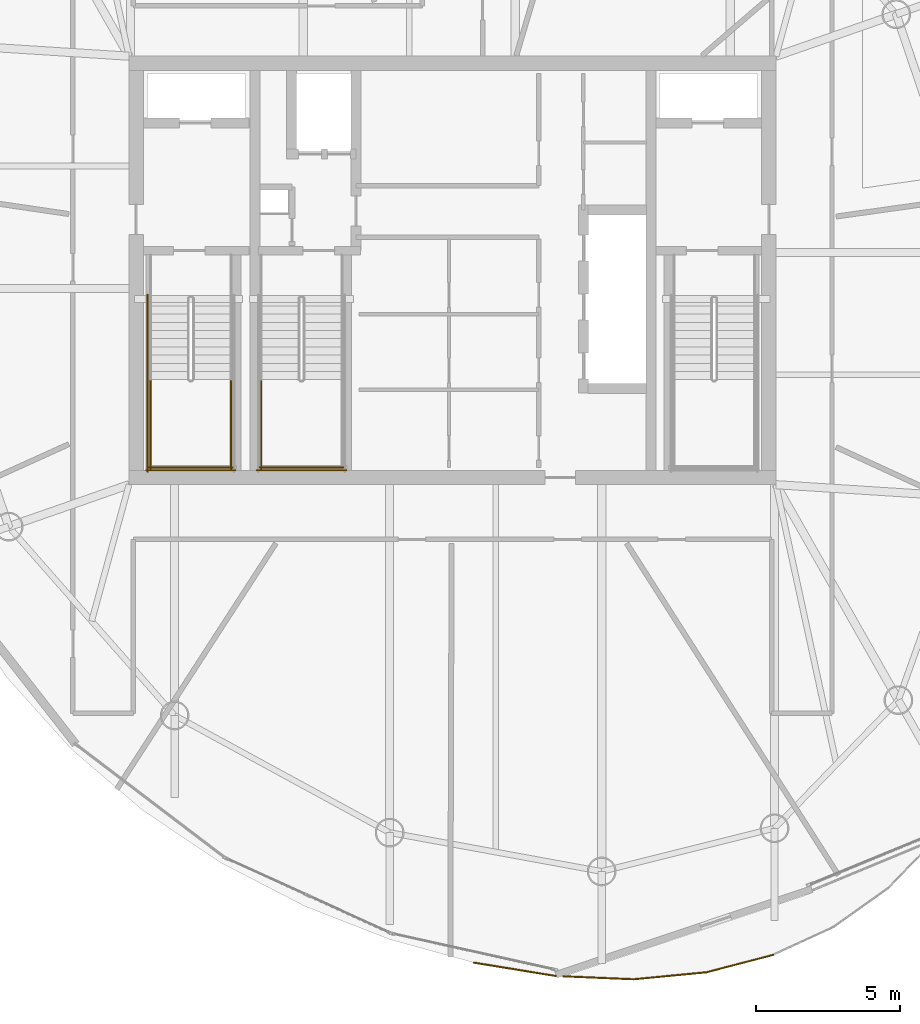
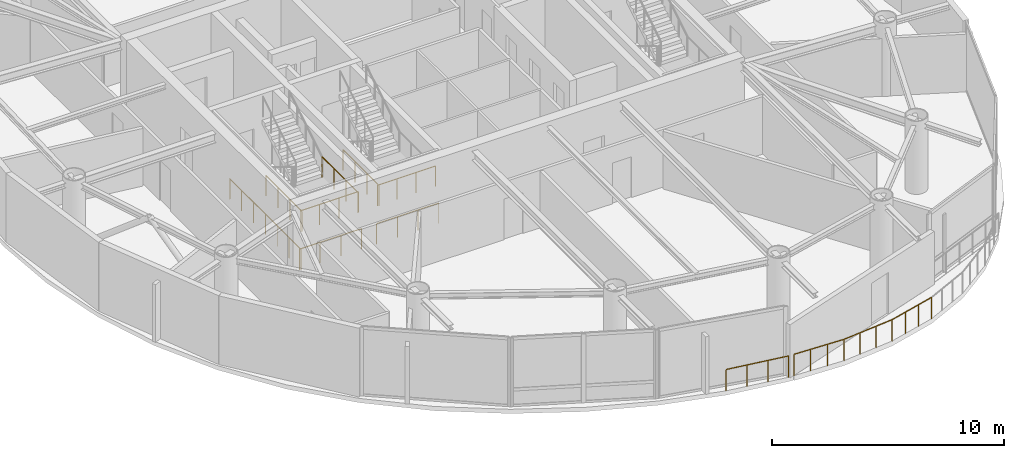
# One storey, part 17 of 19: 12 railings.
"""IFC4 building model written with IfcOpenShell, lengths in metres."""

from ifc_helpers import new_model, si_unit, direction, frame, origin, origin_2d, place, context, subcontext, project, spatial, circle, extrude, material, type_object, element, save


model = new_model("IFC4")

# Units and contexts
model_context = context("Model", 3, precision=1e-05, world=origin(), true_north=direction((0.0, 1.0)))
body_context = subcontext(model_context, "Body", "Model", "MODEL_VIEW")
ifc_project = project(units=[si_unit("LENGTHUNIT", "METRE"), si_unit("AREAUNIT", "SQUARE_METRE"), si_unit("VOLUMEUNIT", "CUBIC_METRE"), si_unit("PLANEANGLEUNIT", "RADIAN"), si_unit("MASSUNIT", "GRAM", prefix="KILO")], contexts=[model_context])

# Site, building, storey
site_placement = place(None, origin())
site = spatial("IfcSite", under=ifc_project, at=site_placement, CompositionType="ELEMENT")
building_placement = place(site_placement, origin())
building = spatial("IfcBuilding", under=site, at=building_placement, Name="Bramvorn Convention Spire", CompositionType="ELEMENT")
storey_placement = place(building_placement, frame((0.0, 0.0, 272.85009765625)))
storey = spatial("IfcBuildingStorey", under=building, at=storey_placement, Name="L69", CompositionType="ELEMENT", Elevation=272.85009765625)

# Railings
ifc_material_1 = material(Name="Painted Steel Balustrade & Guardrail", Category="steel")
railing_type_1 = type_object("IfcRailingType", Name="RL-STAIR-GUARD-1100", PredefinedType="GUARDRAIL", material=ifc_material_1)
for number, where, name in (
    (1, (27.5, 22.199951171875, 1.9248046875), "L69 ST1 stair guard 3"),
    (2, (30.300048828125, 22.199951171875, 1.9248046875), "L69 ST1 stair guard 4"),
):
    element("IfcRailing", number, at=place(storey_placement, frame(where)), inside=storey, type_object=railing_type_1, Name=name, PredefinedType="GUARDRAIL", context=body_context, shape_type="SweptSolid", body=[
        extrude(circle(Radius=0.02392578125, at=origin_2d()), frame((0.0, 0.0, 1.076171875), z_axis=(0.0, -1.0, 0.0), x_axis=(1.0, 0.0, 0.0)), (0.0, 0.0, 1.0), 3.099853515625),
        extrude(circle(Radius=0.02099609375, at=origin_2d()), origin(), (0.0, 0.0, 1.0), 1.052001953125),
        extrude(circle(Radius=0.02099609375, at=origin_2d()), frame((0.0, -1.033203125, 0.0)), (0.0, 0.0, 1.0), 1.052001953125),
        extrude(circle(Radius=0.02099609375, at=origin_2d()), frame((0.0, -2.066650390625, 0.0)), (0.0, 0.0, 1.0), 1.052001953125),
        extrude(circle(Radius=0.02099609375, at=origin_2d()), frame((0.0, -3.099853515625, 0.0)), (0.0, 0.0, 1.0), 1.052001953125),
    ])
railing_1_placement = place(storey_placement, frame((27.449951171875, 19.14990234375, 1.9248046875)))
element("IfcRailing", 3, at=railing_1_placement, inside=storey, type_object=railing_type_1, Name="L69 ST1 stair guard 5", PredefinedType="GUARDRAIL", context=body_context, shape_type="SweptSolid", body=[
    extrude(circle(Radius=0.02392578125, at=origin_2d()), frame((0.0, 0.0, 1.076171875), z_axis=(1.0, 0.0, 0.0), x_axis=(0.0, 1.0, 0.0)), (0.0, 0.0, 1.0), 2.900146484375),
    extrude(circle(Radius=0.02099609375, at=origin_2d()), origin(), (0.0, 0.0, 1.0), 1.052001953125),
    extrude(circle(Radius=0.02099609375, at=origin_2d()), frame((0.966796875, 0.0, 0.0)), (0.0, 0.0, 1.0), 1.052001953125),
    extrude(circle(Radius=0.02099609375, at=origin_2d()), frame((1.933349609375, 0.0, 0.0)), (0.0, 0.0, 1.0), 1.052001953125),
    extrude(circle(Radius=0.02099609375, at=origin_2d()), frame((2.900146484375, 0.0, 0.0)), (0.0, 0.0, 1.0), 1.052001953125),
])
railing_2_placement = place(storey_placement, frame((27.39990234375, 25.14990234375, 0.0)))
element("IfcRailing", 4, at=railing_2_placement, inside=storey, type_object=railing_type_1, Name="L69 ST1 stair guard 10", PredefinedType="GUARDRAIL", context=body_context, shape_type="SweptSolid", body=[
    extrude(circle(Radius=0.02392578125, at=origin_2d()), frame((0.0, 0.0, 1.076171875), z_axis=(0.0, -1.0, 0.0), x_axis=(1.0, 0.0, 0.0)), (0.0, 0.0, 1.0), 6.14990234375),
    extrude(circle(Radius=0.02099609375, at=origin_2d()), origin(), (0.0, 0.0, 1.0), 1.052001953125),
    extrude(circle(Radius=0.02099609375, at=origin_2d()), frame((0.0, -1.02490234375, 0.0)), (0.0, 0.0, 1.0), 1.052001953125),
    extrude(circle(Radius=0.02099609375, at=origin_2d()), frame((0.0, -2.050048828125, 0.0)), (0.0, 0.0, 1.0), 1.052001953125),
    extrude(circle(Radius=0.02099609375, at=origin_2d()), frame((0.0, -3.074951171875, 0.0)), (0.0, 0.0, 1.0), 1.052001953125),
    extrude(circle(Radius=0.02099609375, at=origin_2d()), frame((0.0, -4.099853515625, 0.0)), (0.0, 0.0, 1.0), 1.052001953125),
    extrude(circle(Radius=0.02099609375, at=origin_2d()), frame((0.0, -5.125, 0.0)), (0.0, 0.0, 1.0), 1.052001953125),
    extrude(circle(Radius=0.02099609375, at=origin_2d()), frame((0.0, -6.14990234375, 0.0)), (0.0, 0.0, 1.0), 1.052001953125),
])
railing_3_placement = place(storey_placement, frame((27.35009765625, 19.050048828125, 0.0)))
element("IfcRailing", 5, at=railing_3_placement, inside=storey, type_object=railing_type_1, Name="L69 ST1 stair guard 12", PredefinedType="GUARDRAIL", context=body_context, shape_type="SweptSolid", body=[
    extrude(circle(Radius=0.02392578125, at=origin_2d()), frame((0.0, 0.0, 1.076171875), z_axis=(1.0, 0.0, 0.0), x_axis=(0.0, 1.0, 0.0)), (0.0, 0.0, 1.0), 3.099853515625),
    extrude(circle(Radius=0.02099609375, at=origin_2d()), origin(), (0.0, 0.0, 1.0), 1.052001953125),
    extrude(circle(Radius=0.02099609375, at=origin_2d()), frame((1.033203125, 0.0, 0.0)), (0.0, 0.0, 1.0), 1.052001953125),
    extrude(circle(Radius=0.02099609375, at=origin_2d()), frame((2.066650390625, 0.0, 0.0)), (0.0, 0.0, 1.0), 1.052001953125),
    extrude(circle(Radius=0.02099609375, at=origin_2d()), frame((3.099853515625, 0.0, 0.0)), (0.0, 0.0, 1.0), 1.052001953125),
])
railing_4_placement = place(storey_placement, frame((31.35009765625, 22.199951171875, 1.9248046875)))
element("IfcRailing", 6, at=railing_4_placement, inside=storey, type_object=railing_type_1, Name="L69 ST3 stair guard 3", PredefinedType="GUARDRAIL", context=body_context, shape_type="SweptSolid", body=[
    extrude(circle(Radius=0.02392578125, at=origin_2d()), frame((0.0, 0.0, 1.076171875), z_axis=(0.0, -1.0, 0.0), x_axis=(1.0, 0.0, 0.0)), (0.0, 0.0, 1.0), 3.099853515625),
    extrude(circle(Radius=0.02099609375, at=origin_2d()), origin(), (0.0, 0.0, 1.0), 1.052001953125),
    extrude(circle(Radius=0.02099609375, at=origin_2d()), frame((0.0, -1.033203125, 0.0)), (0.0, 0.0, 1.0), 1.052001953125),
    extrude(circle(Radius=0.02099609375, at=origin_2d()), frame((0.0, -2.066650390625, 0.0)), (0.0, 0.0, 1.0), 1.052001953125),
    extrude(circle(Radius=0.02099609375, at=origin_2d()), frame((0.0, -3.099853515625, 0.0)), (0.0, 0.0, 1.0), 1.052001953125),
])
railing_5_placement = place(storey_placement, frame((31.300048828125, 19.14990234375, 1.9248046875)))
element("IfcRailing", 7, at=railing_5_placement, inside=storey, type_object=railing_type_1, Name="L69 ST3 stair guard 5", PredefinedType="GUARDRAIL", context=body_context, shape_type="SweptSolid", body=[
    extrude(circle(Radius=0.02392578125, at=origin_2d()), frame((0.0, 0.0, 1.076171875), z_axis=(1.0, 0.0, 0.0), x_axis=(0.0, 1.0, 0.0)), (0.0, 0.0, 1.0), 2.89990234375),
    extrude(circle(Radius=0.02099609375, at=origin_2d()), origin(), (0.0, 0.0, 1.0), 1.052001953125),
    extrude(circle(Radius=0.02099609375, at=origin_2d()), frame((0.966552734375, 0.0, 0.0)), (0.0, 0.0, 1.0), 1.052001953125),
    extrude(circle(Radius=0.02099609375, at=origin_2d()), frame((1.933349609375, 0.0, 0.0)), (0.0, 0.0, 1.0), 1.052001953125),
    extrude(circle(Radius=0.02099609375, at=origin_2d()), frame((2.89990234375, 0.0, 0.0)), (0.0, 0.0, 1.0), 1.052001953125),
])
railing_6_placement = place(storey_placement, frame((31.199951171875, 19.050048828125, 0.0)))
element("IfcRailing", 8, at=railing_6_placement, inside=storey, type_object=railing_type_1, Name="L69 ST3 stair guard 12", PredefinedType="GUARDRAIL", context=body_context, shape_type="SweptSolid", body=[
    extrude(circle(Radius=0.02392578125, at=origin_2d()), frame((0.0, 0.0, 1.076171875), z_axis=(1.0, 0.0, 0.0), x_axis=(0.0, 1.0, 0.0)), (0.0, 0.0, 1.0), 3.10009765625),
    extrude(circle(Radius=0.02099609375, at=origin_2d()), origin(), (0.0, 0.0, 1.0), 1.052001953125),
    extrude(circle(Radius=0.02099609375, at=origin_2d()), frame((1.033447265625, 0.0, 0.0)), (0.0, 0.0, 1.0), 1.052001953125),
    extrude(circle(Radius=0.02099609375, at=origin_2d()), frame((2.066650390625, 0.0, 0.0)), (0.0, 0.0, 1.0), 1.052001953125),
    extrude(circle(Radius=0.02099609375, at=origin_2d()), frame((3.10009765625, 0.0, 0.0)), (0.0, 0.0, 1.0), 1.052001953125),
])
ifc_material_2 = material(Name="Bronze Cap-Rail & Laminated Structural Glass Balustrade", Category="glass")
railing_type_2 = type_object("IfcRailingType", Name="RL-TERR-GUARD-1150", PredefinedType="GUARDRAIL", material=ifc_material_2)
railing_7_placement = place(storey_placement, frame((41.852783203125, 1.451416015625, 0.0)))
element("IfcRailing", 9, at=railing_7_placement, inside=storey, type_object=railing_type_2, Name="L69 Sky Garden perimeter safety guardrail 2", PredefinedType="GUARDRAIL", context=body_context, shape_type="SweptSolid", body=[
    extrude(circle(Radius=0.02392578125, at=origin_2d()), frame((0.0, 0.0, 1.1259765625), z_axis=(0.999120776041, -0.041924633381, 0.0), x_axis=(0.041924633381, 0.999120776041, 0.0)), (0.0, 0.0, 1.0), 2.45166015625),
    extrude(circle(Radius=0.02099609375, at=origin_2d()), origin(), (0.0, 0.0, 1.0), 1.101806640625),
    extrude(circle(Radius=0.02099609375, at=origin_2d()), frame((0.81640625, -0.0341796875, 0.0)), (0.0, 0.0, 1.0), 1.101806640625),
    extrude(circle(Radius=0.02099609375, at=origin_2d()), frame((1.633056640625, -0.068603515625, 0.0)), (0.0, 0.0, 1.0), 1.101806640625),
    extrude(circle(Radius=0.02099609375, at=origin_2d()), frame((2.449462890625, -0.102783203125, 0.0)), (0.0, 0.0, 1.0), 1.101806640625),
])
railing_8_placement = place(storey_placement, frame((44.30224609375, 1.3486328125, 0.0)))
element("IfcRailing", 10, at=railing_8_placement, inside=storey, type_object=railing_type_2, Name="L69 Sky Garden perimeter safety guardrail 3", PredefinedType="GUARDRAIL", context=body_context, shape_type="SweptSolid", body=[
    extrude(circle(Radius=0.02392578125, at=origin_2d()), frame((0.0, 0.0, 1.1259765625), z_axis=(0.995429095389, 0.095503487123, 0.0), x_axis=(-0.095503487123, 0.995429095389, 0.0)), (0.0, 0.0, 1.0), 2.53857421875),
    extrude(circle(Radius=0.02099609375, at=origin_2d()), origin(), (0.0, 0.0, 1.0), 1.101806640625),
    extrude(circle(Radius=0.02099609375, at=origin_2d()), frame((0.84228515625, 0.080810546875, 0.0)), (0.0, 0.0, 1.0), 1.101806640625),
    extrude(circle(Radius=0.02099609375, at=origin_2d()), frame((1.6845703125, 0.16162109375, 0.0)), (0.0, 0.0, 1.0), 1.101806640625),
    extrude(circle(Radius=0.02099609375, at=origin_2d()), frame((2.52685546875, 0.242431640625, 0.0)), (0.0, 0.0, 1.0), 1.101806640625),
])
railing_9_placement = place(storey_placement, frame((46.8291015625, 1.591064453125, 0.0)))
element("IfcRailing", 11, at=railing_9_placement, inside=storey, type_object=railing_type_2, Name="L69 Sky Garden perimeter safety guardrail 4", PredefinedType="GUARDRAIL", context=body_context, shape_type="SweptSolid", body=[
    extrude(circle(Radius=0.02392578125, at=origin_2d()), frame((0.0, 0.0, 1.1259765625), z_axis=(0.967664779715, 0.252239715545, 0.0), x_axis=(-0.252239715545, 0.967664779715, 0.0)), (0.0, 0.0, 1.0), 2.400390625),
    extrude(circle(Radius=0.02099609375, at=origin_2d()), origin(), (0.0, 0.0, 1.0), 1.101806640625),
    extrude(circle(Radius=0.02099609375, at=origin_2d()), frame((0.774169921875, 0.201904296875, 0.0)), (0.0, 0.0, 1.0), 1.101806640625),
    extrude(circle(Radius=0.02099609375, at=origin_2d()), frame((1.548583984375, 0.403564453125, 0.0)), (0.0, 0.0, 1.0), 1.101806640625),
    extrude(circle(Radius=0.02099609375, at=origin_2d()), frame((2.32275390625, 0.60546875, 0.0)), (0.0, 0.0, 1.0), 1.101806640625),
])
railing_10_placement = place(storey_placement, frame((41.594970703125, 1.462158203125, 0.0)))
element("IfcRailing", 12, at=railing_10_placement, inside=storey, type_object=railing_type_2, Name="L69 Sky Garden junction edge safety guardrail 8", PredefinedType="GUARDRAIL", context=body_context, shape_type="SweptSolid", body=[
    extrude(circle(Radius=0.02392578125, at=origin_2d()), frame((0.0, 0.0, 1.1259765625), z_axis=(-0.987024424931, 0.160570185868, 0.0), x_axis=(-0.160570185868, -0.987024424931, 0.0)), (0.0, 0.0, 1.0), 2.8857421875),
    extrude(circle(Radius=0.02099609375, at=origin_2d()), origin(), (0.0, 0.0, 1.0), 1.101806640625),
    extrude(circle(Radius=0.02099609375, at=origin_2d()), frame((-0.949462890625, 0.154541015625, 0.0)), (0.0, 0.0, 1.0), 1.101806640625),
    extrude(circle(Radius=0.02099609375, at=origin_2d()), frame((-1.89892578125, 0.308837890625, 0.0)), (0.0, 0.0, 1.0), 1.101806640625),
    extrude(circle(Radius=0.02099609375, at=origin_2d()), frame((-2.848388671875, 0.46337890625, 0.0)), (0.0, 0.0, 1.0), 1.101806640625),
])

save(model, "model.ifc")
